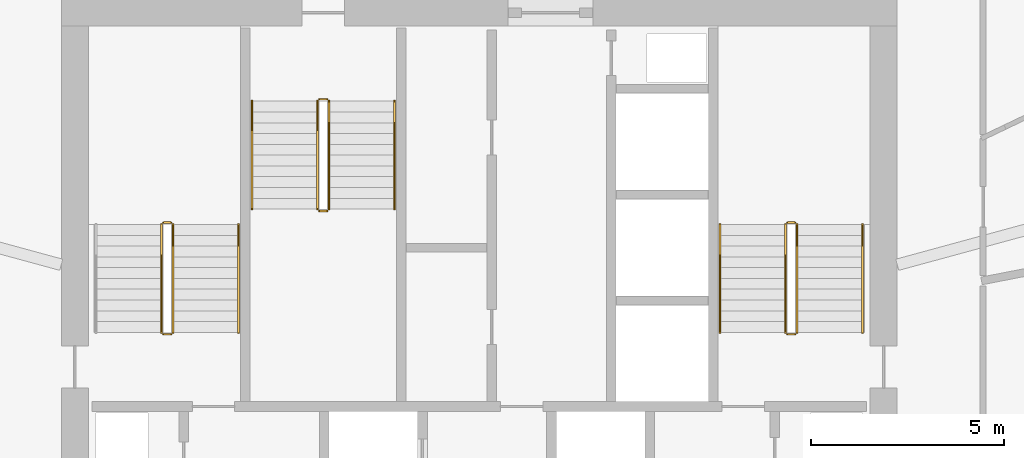
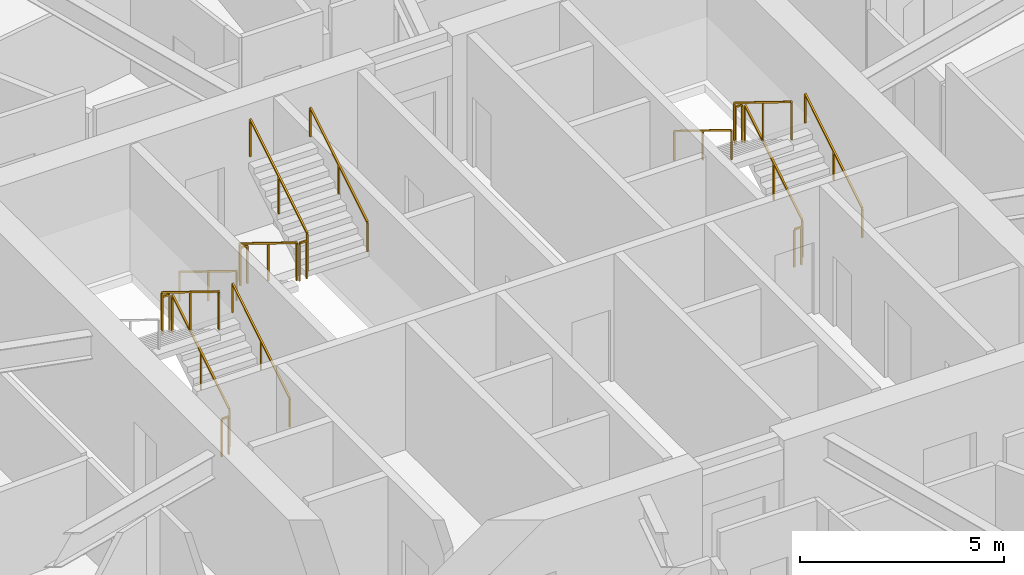
# One storey, part 34 of 34: 17 railings.
"""IFC4 building model written with IfcOpenShell, lengths in metres."""

from ifc_helpers import new_model, si_unit, direction, frame, origin, origin_2d, place, context, subcontext, project, spatial, rectangle, extrude, material, type_object, element, save


model = new_model("IFC4")

# Units and contexts
model_context = context("Model", 3, precision=1e-05, world=origin(), true_north=direction((0.0, 1.0)))
body_context = subcontext(model_context, "Body", "Model", "MODEL_VIEW")
ifc_project = project(units=[si_unit("LENGTHUNIT", "METRE"), si_unit("AREAUNIT", "SQUARE_METRE"), si_unit("VOLUMEUNIT", "CUBIC_METRE"), si_unit("PLANEANGLEUNIT", "RADIAN"), si_unit("MASSUNIT", "GRAM", prefix="KILO")], contexts=[model_context])

# Site, building, storey
site_placement = place(None, origin())
site = spatial("IfcSite", under=ifc_project, at=site_placement, CompositionType="ELEMENT")
building_placement = place(site_placement, origin())
building = spatial("IfcBuilding", under=site, at=building_placement, Name="Zuhravey Tower", CompositionType="ELEMENT")
storey_placement = place(building_placement, frame((0.0, 0.0, 130.39990234375)))
storey = spatial("IfcBuildingStorey", under=building, at=storey_placement, Name="L32", CompositionType="ELEMENT", Elevation=130.39990234375)

# Railings
ifc_material_1 = material(Name="Brushed stainless steel", Category="steel")
railing_type_1 = type_object("IfcRailingType", Name="Stair Wall Handrail 900", PredefinedType="HANDRAIL", material=ifc_material_1)
for number, where, name in (
    (1, (29.75, 33.199951171875, 0.1728515625), "L32 ST1 stair handrail 1"),
    (2, (45.949951171875, 33.199951171875, 0.1728515625), "L32 ST2 stair handrail 1"),
):
    element("IfcRailing", number, at=place(storey_placement, frame(where)), inside=storey, type_object=railing_type_1, Name=name, PredefinedType="HANDRAIL", context=body_context, shape_type="SweptSolid", body=[
        extrude(rectangle(XDim=0.048095703125, YDim=0.048095703125, at=origin_2d()), frame((0.0, 0.001708984375, 0.876953125), z_axis=(0.0, 0.851089632645, 0.525020415988), x_axis=(-1.0, 0.0, 0.0)), (0.0, 0.0, 1.0), 3.285888671875),
        extrude(rectangle(XDim=0.0419921875, YDim=0.0419921875, at=origin_2d()), origin(), (0.0, 0.0, 1.0), 0.849853515625),
        extrude(rectangle(XDim=0.0419921875, YDim=0.0419921875, at=origin_2d()), frame((0.0, 1.39990234375, 0.86376953125)), (0.0, 0.0, 1.0), 0.849853515625),
        extrude(rectangle(XDim=0.0419921875, YDim=0.0419921875, at=origin_2d()), frame((0.0, 2.800048828125, 1.727294921875)), (0.0, 0.0, 1.0), 0.849853515625),
    ])
for number, where, name in (
    (3, (42.25, 36.0, 2.07275390625), "L32 ST2 stair handrail 2"),
    (4, (30.10009765625, 39.199951171875, 0.1728515625), "L32 ST3 stair handrail 1"),
):
    element("IfcRailing", number, at=place(storey_placement, frame(where)), inside=storey, type_object=railing_type_1, Name=name, PredefinedType="HANDRAIL", context=body_context, shape_type="SweptSolid", body=[
        extrude(rectangle(XDim=0.048095703125, YDim=0.048095703125, at=origin_2d()), frame((0.0, -0.001708984375, 0.876953125), z_axis=(0.0, -0.851089632645, 0.525020415988), x_axis=(1.0, 0.0, 0.0)), (0.0, 0.0, 1.0), 3.285888671875),
        extrude(rectangle(XDim=0.0419921875, YDim=0.0419921875, at=origin_2d()), origin(), (0.0, 0.0, 1.0), 0.849853515625),
        extrude(rectangle(XDim=0.0419921875, YDim=0.0419921875, at=origin_2d()), frame((0.0, -1.39990234375, 0.86376953125)), (0.0, 0.0, 1.0), 0.849853515625),
        extrude(rectangle(XDim=0.0419921875, YDim=0.0419921875, at=origin_2d()), frame((0.0, -2.800048828125, 1.727294921875)), (0.0, 0.0, 1.0), 0.849853515625),
    ])
railing_1_placement = place(storey_placement, frame((33.800048828125, 36.39990234375, 2.07275390625)))
element("IfcRailing", 5, at=railing_1_placement, inside=storey, type_object=railing_type_1, Name="L32 ST3 stair handrail 2", PredefinedType="HANDRAIL", context=body_context, shape_type="SweptSolid", body=[
    extrude(rectangle(XDim=0.048095703125, YDim=0.048095703125, at=origin_2d()), frame((0.0, 0.001708984375, 0.876953125), z_axis=(0.0, 0.851089632645, 0.525020415988), x_axis=(-1.0, 0.0, 0.0)), (0.0, 0.0, 1.0), 3.285888671875),
    extrude(rectangle(XDim=0.0419921875, YDim=0.0419921875, at=origin_2d()), origin(), (0.0, 0.0, 1.0), 0.849853515625),
    extrude(rectangle(XDim=0.0419921875, YDim=0.0419921875, at=origin_2d()), frame((0.0, 1.39990234375, 0.86376953125)), (0.0, 0.0, 1.0), 0.849853515625),
    extrude(rectangle(XDim=0.0419921875, YDim=0.0419921875, at=origin_2d()), frame((0.0, 2.800048828125, 1.727294921875)), (0.0, 0.0, 1.0), 0.849853515625),
])
ifc_material_2 = material(Name="Painted tubular steel", Category="steel")
railing_type_2 = type_object("IfcRailingType", Name="Stair Well Guardrail 1150", PredefinedType="GUARDRAIL", material=ifc_material_2)
railing_2_placement = place(storey_placement, frame((28.050048828125, 33.199951171875, 0.1728515625)))
element("IfcRailing", 6, at=railing_2_placement, inside=storey, type_object=railing_type_2, Name="L32 ST1 stair guard 1", PredefinedType="GUARDRAIL", context=body_context, shape_type="SweptSolid", body=[
    extrude(rectangle(XDim=0.048095703125, YDim=0.048095703125, at=origin_2d()), frame((0.0, 0.001708984375, 1.126953125), z_axis=(0.0, 0.851089632645, 0.525020415988), x_axis=(-1.0, 0.0, 0.0)), (0.0, 0.0, 1.0), 3.285888671875),
    extrude(rectangle(XDim=0.0419921875, YDim=0.0419921875, at=origin_2d()), origin(), (0.0, 0.0, 1.0), 1.099853515625),
    extrude(rectangle(XDim=0.0419921875, YDim=0.0419921875, at=origin_2d()), frame((0.0, 1.39990234375, 0.86376953125)), (0.0, 0.0, 1.0), 1.099853515625),
    extrude(rectangle(XDim=0.0419921875, YDim=0.0419921875, at=origin_2d()), frame((0.0, 2.800048828125, 1.727294921875)), (0.0, 0.0, 1.0), 1.099853515625),
])
railing_3_placement = place(storey_placement, frame((28.0, 36.050048828125, 1.900146484375)))
element("IfcRailing", 7, at=railing_3_placement, inside=storey, type_object=railing_type_2, Name="L32 ST1 stair guard 2", PredefinedType="GUARDRAIL", context=body_context, shape_type="SweptSolid", body=[
    extrude(rectangle(XDim=0.048095703125, YDim=0.048095703125, at=origin_2d()), frame((-0.001953125, 0.0, 1.1259765625), z_axis=(-1.0, 0.0, 0.0), x_axis=(0.0, -1.0, 0.0)), (0.0, 0.0, 1.0), 0.196044921875),
    extrude(rectangle(XDim=0.0419921875, YDim=0.0419921875, at=origin_2d()), origin(), (0.0, 0.0, 1.0), 1.099853515625),
    extrude(rectangle(XDim=0.0419921875, YDim=0.0419921875, at=origin_2d()), frame((-0.199951171875, 0.0, 0.0)), (0.0, 0.0, 1.0), 1.099853515625),
])
railing_4_placement = place(storey_placement, frame((27.75, 36.0, 2.07275390625)))
element("IfcRailing", 8, at=railing_4_placement, inside=storey, type_object=railing_type_2, Name="L32 ST1 stair guard 3", PredefinedType="GUARDRAIL", context=body_context, shape_type="SweptSolid", body=[
    extrude(rectangle(XDim=0.048095703125, YDim=0.048095703125, at=origin_2d()), frame((0.0, -0.001708984375, 1.126953125), z_axis=(0.0, -0.851089632645, 0.525020415988), x_axis=(1.0, 0.0, 0.0)), (0.0, 0.0, 1.0), 3.285888671875),
    extrude(rectangle(XDim=0.0419921875, YDim=0.0419921875, at=origin_2d()), origin(), (0.0, 0.0, 1.0), 1.099853515625),
    extrude(rectangle(XDim=0.0419921875, YDim=0.0419921875, at=origin_2d()), frame((0.0, -1.39990234375, 0.86376953125)), (0.0, 0.0, 1.0), 1.099853515625),
    extrude(rectangle(XDim=0.0419921875, YDim=0.0419921875, at=origin_2d()), frame((0.0, -2.800048828125, 1.727294921875)), (0.0, 0.0, 1.0), 1.099853515625),
])
railing_5_placement = place(storey_placement, frame((28.0, 33.14990234375, 0.0)))
element("IfcRailing", 9, at=railing_5_placement, inside=storey, type_object=railing_type_2, Name="L32 ST1 stair guard 4", PredefinedType="GUARDRAIL", context=body_context, shape_type="SweptSolid", body=[
    extrude(rectangle(XDim=0.048095703125, YDim=0.048095703125, at=origin_2d()), frame((-0.001953125, 0.0, 1.1259765625), z_axis=(-1.0, 0.0, 0.0), x_axis=(0.0, -1.0, 0.0)), (0.0, 0.0, 1.0), 0.196044921875),
    extrude(rectangle(XDim=0.0419921875, YDim=0.0419921875, at=origin_2d()), origin(), (0.0, 0.0, 1.0), 1.099853515625),
    extrude(rectangle(XDim=0.0419921875, YDim=0.0419921875, at=origin_2d()), frame((-0.199951171875, 0.0, 0.0)), (0.0, 0.0, 1.0), 1.099853515625),
])
railing_6_placement = place(storey_placement, frame((44.25, 33.199951171875, 0.1728515625)))
element("IfcRailing", 10, at=railing_6_placement, inside=storey, type_object=railing_type_2, Name="L32 ST2 stair guard 1", PredefinedType="GUARDRAIL", context=body_context, shape_type="SweptSolid", body=[
    extrude(rectangle(XDim=0.048095703125, YDim=0.048095703125, at=origin_2d()), frame((0.0, 0.001708984375, 1.126953125), z_axis=(0.0, 0.851089632645, 0.525020415988), x_axis=(-1.0, 0.0, 0.0)), (0.0, 0.0, 1.0), 3.285888671875),
    extrude(rectangle(XDim=0.0419921875, YDim=0.0419921875, at=origin_2d()), origin(), (0.0, 0.0, 1.0), 1.099853515625),
    extrude(rectangle(XDim=0.0419921875, YDim=0.0419921875, at=origin_2d()), frame((0.0, 1.39990234375, 0.86376953125)), (0.0, 0.0, 1.0), 1.099853515625),
    extrude(rectangle(XDim=0.0419921875, YDim=0.0419921875, at=origin_2d()), frame((0.0, 2.800048828125, 1.727294921875)), (0.0, 0.0, 1.0), 1.099853515625),
])
railing_7_placement = place(storey_placement, frame((44.199951171875, 36.050048828125, 1.900146484375)))
element("IfcRailing", 11, at=railing_7_placement, inside=storey, type_object=railing_type_2, Name="L32 ST2 stair guard 2", PredefinedType="GUARDRAIL", context=body_context, shape_type="SweptSolid", body=[
    extrude(rectangle(XDim=0.048095703125, YDim=0.048095703125, at=origin_2d()), frame((-0.001953125, 0.0, 1.1259765625), z_axis=(-1.0, 0.0, 0.0), x_axis=(0.0, -1.0, 0.0)), (0.0, 0.0, 1.0), 0.196044921875),
    extrude(rectangle(XDim=0.0419921875, YDim=0.0419921875, at=origin_2d()), origin(), (0.0, 0.0, 1.0), 1.099853515625),
    extrude(rectangle(XDim=0.0419921875, YDim=0.0419921875, at=origin_2d()), frame((-0.199951171875, 0.0, 0.0)), (0.0, 0.0, 1.0), 1.099853515625),
])
railing_8_placement = place(storey_placement, frame((43.949951171875, 36.0, 2.07275390625)))
element("IfcRailing", 12, at=railing_8_placement, inside=storey, type_object=railing_type_2, Name="L32 ST2 stair guard 3", PredefinedType="GUARDRAIL", context=body_context, shape_type="SweptSolid", body=[
    extrude(rectangle(XDim=0.048095703125, YDim=0.048095703125, at=origin_2d()), frame((0.0, -0.001708984375, 1.126953125), z_axis=(0.0, -0.851089632645, 0.525020415988), x_axis=(1.0, 0.0, 0.0)), (0.0, 0.0, 1.0), 3.285888671875),
    extrude(rectangle(XDim=0.0419921875, YDim=0.0419921875, at=origin_2d()), origin(), (0.0, 0.0, 1.0), 1.099853515625),
    extrude(rectangle(XDim=0.0419921875, YDim=0.0419921875, at=origin_2d()), frame((0.0, -1.39990234375, 0.86376953125)), (0.0, 0.0, 1.0), 1.099853515625),
    extrude(rectangle(XDim=0.0419921875, YDim=0.0419921875, at=origin_2d()), frame((0.0, -2.800048828125, 1.727294921875)), (0.0, 0.0, 1.0), 1.099853515625),
])
railing_9_placement = place(storey_placement, frame((44.199951171875, 33.14990234375, 0.0)))
element("IfcRailing", 13, at=railing_9_placement, inside=storey, type_object=railing_type_2, Name="L32 ST2 stair guard 4", PredefinedType="GUARDRAIL", context=body_context, shape_type="SweptSolid", body=[
    extrude(rectangle(XDim=0.048095703125, YDim=0.048095703125, at=origin_2d()), frame((-0.001953125, 0.0, 1.1259765625), z_axis=(-1.0, 0.0, 0.0), x_axis=(0.0, -1.0, 0.0)), (0.0, 0.0, 1.0), 0.196044921875),
    extrude(rectangle(XDim=0.0419921875, YDim=0.0419921875, at=origin_2d()), origin(), (0.0, 0.0, 1.0), 1.099853515625),
    extrude(rectangle(XDim=0.0419921875, YDim=0.0419921875, at=origin_2d()), frame((-0.199951171875, 0.0, 0.0)), (0.0, 0.0, 1.0), 1.099853515625),
])
railing_10_placement = place(storey_placement, frame((31.800048828125, 39.199951171875, 0.1728515625)))
element("IfcRailing", 14, at=railing_10_placement, inside=storey, type_object=railing_type_2, Name="L32 ST3 stair guard 1", PredefinedType="GUARDRAIL", context=body_context, shape_type="SweptSolid", body=[
    extrude(rectangle(XDim=0.048095703125, YDim=0.048095703125, at=origin_2d()), frame((0.0, -0.001708984375, 1.126953125), z_axis=(0.0, -0.851089632645, 0.525020415988), x_axis=(1.0, 0.0, 0.0)), (0.0, 0.0, 1.0), 3.285888671875),
    extrude(rectangle(XDim=0.0419921875, YDim=0.0419921875, at=origin_2d()), origin(), (0.0, 0.0, 1.0), 1.099853515625),
    extrude(rectangle(XDim=0.0419921875, YDim=0.0419921875, at=origin_2d()), frame((0.0, -1.39990234375, 0.86376953125)), (0.0, 0.0, 1.0), 1.099853515625),
    extrude(rectangle(XDim=0.0419921875, YDim=0.0419921875, at=origin_2d()), frame((0.0, -2.800048828125, 1.727294921875)), (0.0, 0.0, 1.0), 1.099853515625),
])
railing_11_placement = place(storey_placement, frame((31.85009765625, 36.35009765625, 1.900146484375)))
element("IfcRailing", 15, at=railing_11_placement, inside=storey, type_object=railing_type_2, Name="L32 ST3 stair guard 2", PredefinedType="GUARDRAIL", context=body_context, shape_type="SweptSolid", body=[
    extrude(rectangle(XDim=0.048095703125, YDim=0.048095703125, at=origin_2d()), frame((0.001953125, 0.0, 1.1259765625), z_axis=(1.0, 0.0, 0.0), x_axis=(0.0, 1.0, 0.0)), (0.0, 0.0, 1.0), 0.196044921875),
    extrude(rectangle(XDim=0.0419921875, YDim=0.0419921875, at=origin_2d()), origin(), (0.0, 0.0, 1.0), 1.099853515625),
    extrude(rectangle(XDim=0.0419921875, YDim=0.0419921875, at=origin_2d()), frame((0.199951171875, 0.0, 0.0)), (0.0, 0.0, 1.0), 1.099853515625),
])
railing_12_placement = place(storey_placement, frame((32.10009765625, 36.39990234375, 2.07275390625)))
element("IfcRailing", 16, at=railing_12_placement, inside=storey, type_object=railing_type_2, Name="L32 ST3 stair guard 3", PredefinedType="GUARDRAIL", context=body_context, shape_type="SweptSolid", body=[
    extrude(rectangle(XDim=0.048095703125, YDim=0.048095703125, at=origin_2d()), frame((0.0, 0.001708984375, 1.126953125), z_axis=(0.0, 0.851089632645, 0.525020415988), x_axis=(-1.0, 0.0, 0.0)), (0.0, 0.0, 1.0), 3.285888671875),
    extrude(rectangle(XDim=0.0419921875, YDim=0.0419921875, at=origin_2d()), origin(), (0.0, 0.0, 1.0), 1.099853515625),
    extrude(rectangle(XDim=0.0419921875, YDim=0.0419921875, at=origin_2d()), frame((0.0, 1.39990234375, 0.86376953125)), (0.0, 0.0, 1.0), 1.099853515625),
    extrude(rectangle(XDim=0.0419921875, YDim=0.0419921875, at=origin_2d()), frame((0.0, 2.800048828125, 1.727294921875)), (0.0, 0.0, 1.0), 1.099853515625),
])
railing_13_placement = place(storey_placement, frame((31.85009765625, 39.25, 0.0)))
element("IfcRailing", 17, at=railing_13_placement, inside=storey, type_object=railing_type_2, Name="L32 ST3 stair guard 4", PredefinedType="GUARDRAIL", context=body_context, shape_type="SweptSolid", body=[
    extrude(rectangle(XDim=0.048095703125, YDim=0.048095703125, at=origin_2d()), frame((0.001953125, 0.0, 1.1259765625), z_axis=(1.0, 0.0, 0.0), x_axis=(0.0, 1.0, 0.0)), (0.0, 0.0, 1.0), 0.196044921875),
    extrude(rectangle(XDim=0.0419921875, YDim=0.0419921875, at=origin_2d()), origin(), (0.0, 0.0, 1.0), 1.099853515625),
    extrude(rectangle(XDim=0.0419921875, YDim=0.0419921875, at=origin_2d()), frame((0.199951171875, 0.0, 0.0)), (0.0, 0.0, 1.0), 1.099853515625),
])

save(model, "model.ifc")
